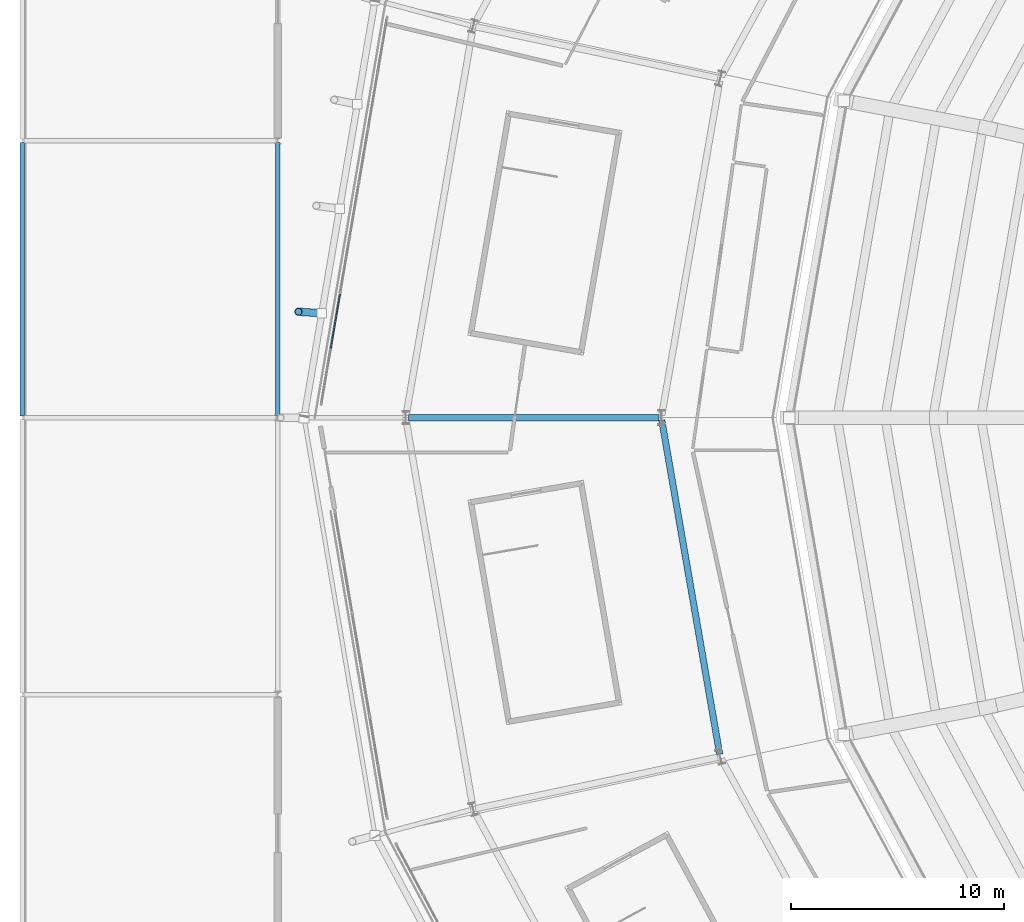
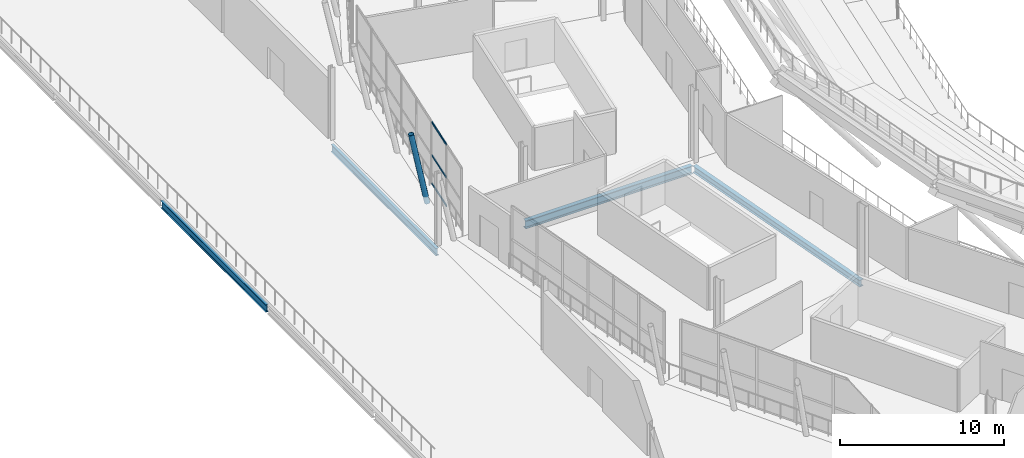
# One storey, part 26 of 126: 4 beams, 4 members, 1 element without a shape of its own.
"""IFC4 building model written with IfcOpenShell, lengths in metres."""

from ifc_helpers import new_model, si_unit, direction, frame, origin, origin_2d, place, context, subcontext, project, spatial, rectangle, hollow_circle, i_section, extrude, material, material_profile, profile_set, type_object, element, aggregate, save


model = new_model("IFC4")

# Units and contexts
model_context = context("Model", 3, precision=1e-05, world=origin(), true_north=direction((0.0, 1.0)))
body_context = subcontext(model_context, "Body", "Model", "MODEL_VIEW")
ifc_project = project(units=[si_unit("LENGTHUNIT", "METRE"), si_unit("AREAUNIT", "SQUARE_METRE"), si_unit("VOLUMEUNIT", "CUBIC_METRE"), si_unit("PLANEANGLEUNIT", "RADIAN"), si_unit("MASSUNIT", "GRAM", prefix="KILO")], contexts=[model_context])

# Site, building, storey
site_placement = place(None, origin())
site = spatial("IfcSite", under=ifc_project, at=site_placement, CompositionType="ELEMENT")
building_placement = place(site_placement, origin())
building = spatial("IfcBuilding", under=site, at=building_placement, Name="Zlatoyarsky Gate Stadium", CompositionType="ELEMENT")
storey_placement = place(building_placement, frame((0.0, 0.0, 20.800048828125)))
storey = spatial("IfcBuildingStorey", under=building, at=storey_placement, Name="L04", CompositionType="ELEMENT", Elevation=20.800048828125)

# Curtain wall, members
ifc_material_1 = material(Name="Thermally broken anodised aluminium curtain wall", Category="aluminium")
curtain_wall_type = type_object("IfcCurtainWallType", Name="UNITISED MEDIA RING GLAZING L04", PredefinedType="USERDEFINED", material=ifc_material_1)
curtain_wall_placement = place(storey_placement, origin())
curtain_wall = element("IfcCurtainWall", 1, at=curtain_wall_placement, inside=storey, type_object=curtain_wall_type, Name="Curtain wall CW-L04-11", ObjectType="UNITISED GLAZING", PredefinedType="USERDEFINED")
ifc_material_2 = material(Name="Anodised aluminium 6063-T6", Category="aluminium")
ifc_material_profile_1 = material_profile(ifc_material_2, rectangle(XDim=0.06494140625, YDim=0.139892578125, at=origin_2d()), Name="ALU 65X140")
ifc_profile_set_1 = profile_set([ifc_material_profile_1], Name="Anodised aluminium 6063-T6")
member_type_1 = type_object("IfcMemberType", Name="ALUMINIUM TRANSOM 65X140", PredefinedType="USERDEFINED", material=ifc_profile_set_1)
member_1_placement = place(storey_placement, frame((14.916748046875, 85.7939453125, 0.032470703125), z_axis=(-0.167809188873, -0.9858194947, 0.0), x_axis=(0.9858194947, -0.167809188873, 0.0)))
member_1 = element("IfcMember", 2, at=member_1_placement, type_object=member_type_1, Name="CW-UG4 transom 6.1", ObjectType="TRANSOM", PredefinedType="USERDEFINED", context=body_context, shape_type="SweptSolid", body=[
    extrude(rectangle(XDim=0.06494140625, YDim=0.139892578125, at=origin_2d()), origin(), (0.0, 0.0, 1.0), 2.56494140625),
])
member_2_placement = place(storey_placement, frame((14.916748046875, 85.7939453125, 2.14990234375), z_axis=(-0.167809188873, -0.9858194947, 0.0), x_axis=(0.9858194947, -0.167809188873, 0.0)))
member_2 = element("IfcMember", 3, at=member_2_placement, type_object=member_type_1, Name="CW-UG4 transom 6.2", ObjectType="TRANSOM", PredefinedType="USERDEFINED", context=body_context, shape_type="SweptSolid", body=[
    extrude(rectangle(XDim=0.06494140625, YDim=0.139892578125, at=origin_2d()), origin(), (0.0, 0.0, 1.0), 2.56494140625),
])
member_3_placement = place(storey_placement, frame((14.916748046875, 85.7939453125, 4.58740234375), z_axis=(-0.167809188873, -0.9858194947, 0.0), x_axis=(0.9858194947, -0.167809188873, 0.0)))
member_3 = element("IfcMember", 4, at=member_3_placement, type_object=member_type_1, Name="CW-UG4 transom 6.3", ObjectType="TRANSOM", PredefinedType="USERDEFINED", context=body_context, shape_type="SweptSolid", body=[
    extrude(rectangle(XDim=0.06494140625, YDim=0.139892578125, at=origin_2d()), origin(), (0.0, 0.0, 1.0), 2.56494140625),
])
aggregate(curtain_wall, [member_1, member_2, member_3])

# Beams
ifc_material_3 = material(Name="Steel S355", Category="steel")
ifc_material_profile_2 = material_profile(ifc_material_3, i_section(OverallWidth=0.2099609375, OverallDepth=0.550048828125, WebThickness=0.010986328125, FlangeThickness=0.01708984375, FilletRadius=0.02392578125, at=origin_2d()), Name="IPE 550")
ifc_profile_set_2 = profile_set([ifc_material_profile_2], Name="Steel S355")
beam_type_1 = type_object("IfcBeamType", Name="STEEL FLOOR BEAM IPE 550", PredefinedType="BEAM", material=ifc_profile_set_2)
for number, where, z_axis, x_axis, name in (
    (5, (0.0, 80.080078125, -0.594970703125), (0.0, 1.0, 0.0), (-1.0, 0.0, 0.0), "Beam B-IPE550 BM-L04-WGY-1-H"),
    (6, (12.0, 80.080078125, -0.594970703125), (0.0, 1.0, 0.0), (-1.0, 0.0, 0.0), "Beam B-IPE550 BM-L04-WGY-2-H"),
):
    element("IfcBeam", number, at=place(storey_placement, frame(where, z_axis=z_axis, x_axis=x_axis)), inside=storey, type_object=beam_type_1, Name=name, PredefinedType="BEAM", context=body_context, shape_type="SweptSolid", body=[
        extrude(i_section(OverallWidth=0.2099609375, OverallDepth=0.550048828125, WebThickness=0.010986328125, FlangeThickness=0.01708984375, FilletRadius=0.02392578125, at=origin_2d()), origin(), (0.0, 0.0, 1.0), 12.83984375),
    ])

# Member
ifc_material_profile_3 = material_profile(ifc_material_3, hollow_circle(Radius=0.177734375, WallThickness=0.02001953125, at=origin_2d()), Name="CHS 355.6X20")
ifc_profile_set_3 = profile_set([ifc_material_profile_3], Name="Steel S355")
member_type_2 = type_object("IfcMemberType", Name="STEEL LEANING RIB RING STRUT CHS 355.6X20", PredefinedType="STRUT", material=ifc_profile_set_3)
member_4_placement = place(storey_placement, frame((14.063232421875, 84.902587890625, -0.550048828125), z_axis=(-0.198028002415, 0.012932081899, 0.980111050605), x_axis=(-0.065165502906, -0.997874469676, 0.0)))
element("IfcMember", 7, at=member_4_placement, inside=storey, type_object=member_type_2, Name="Outward-leaning bowl louvre fin rib L04 11-3", PredefinedType="STRUT", context=body_context, shape_type="SweptSolid", body=[
    extrude(hollow_circle(Radius=0.177734375, WallThickness=0.02001953125, at=origin_2d()), origin(), (0.0, 0.0, 1.0), 5.55029296875),
])

# Beams
ifc_material_profile_4 = material_profile(ifc_material_3, i_section(OverallWidth=0.300048828125, OverallDepth=0.5, WebThickness=0.014404296875, FlangeThickness=0.028076171875, FilletRadius=0.027099609375, at=origin_2d()), Name="HEB 500")
ifc_profile_set_4 = profile_set([ifc_material_profile_4], Name="Steel S355")
beam_type_2 = type_object("IfcBeamType", Name="STEEL PRIMARY GIRDER HEB 500", PredefinedType="BEAM", material=ifc_profile_set_4)
beam_1_placement = place(storey_placement, frame((30.0205078125, 79.8818359375, -0.550048828125), z_axis=(0.170843315562, -0.985298209441, 0.0), x_axis=(0.985298209441, 0.170843315562, 0.0)))
element("IfcBeam", 8, at=beam_1_placement, inside=storey, type_object=beam_type_2, Name="Beam G-HEB500 BM-L04-CRB-12", PredefinedType="BEAM", context=body_context, shape_type="SweptSolid", body=[
    extrude(i_section(OverallWidth=0.300048828125, OverallDepth=0.5, WebThickness=0.014404296875, FlangeThickness=0.028076171875, FilletRadius=0.027099609375, at=origin_2d()), origin(), (0.0, 0.0, 1.0), 15.9150390625),
])
ifc_material_profile_5 = material_profile(ifc_material_3, i_section(OverallWidth=0.300048828125, OverallDepth=0.60009765625, WebThickness=0.015380859375, FlangeThickness=0.030029296875, FilletRadius=0.027099609375, at=origin_2d()), Name="HEB 600")
ifc_profile_set_5 = profile_set([ifc_material_profile_5], Name="Steel S355")
beam_type_3 = type_object("IfcBeamType", Name="STEEL PRIMARY GIRDER HEB 600", PredefinedType="BEAM", material=ifc_profile_set_5)
beam_2_placement = place(storey_placement, frame((29.8798828125, 80.0, -0.60009765625), z_axis=(-1.0, 0.0, 0.0), x_axis=(0.0, -1.0, 0.0)))
element("IfcBeam", 9, at=beam_2_placement, inside=storey, type_object=beam_type_3, Name="Beam G-HEB600 BM-L04-RBC-12", PredefinedType="BEAM", context=body_context, shape_type="SweptSolid", body=[
    extrude(i_section(OverallWidth=0.300048828125, OverallDepth=0.60009765625, WebThickness=0.015380859375, FlangeThickness=0.030029296875, FilletRadius=0.027099609375, at=origin_2d()), origin(), (0.0, 0.0, 1.0), 11.759765625),
])

save(model, "model.ifc")
